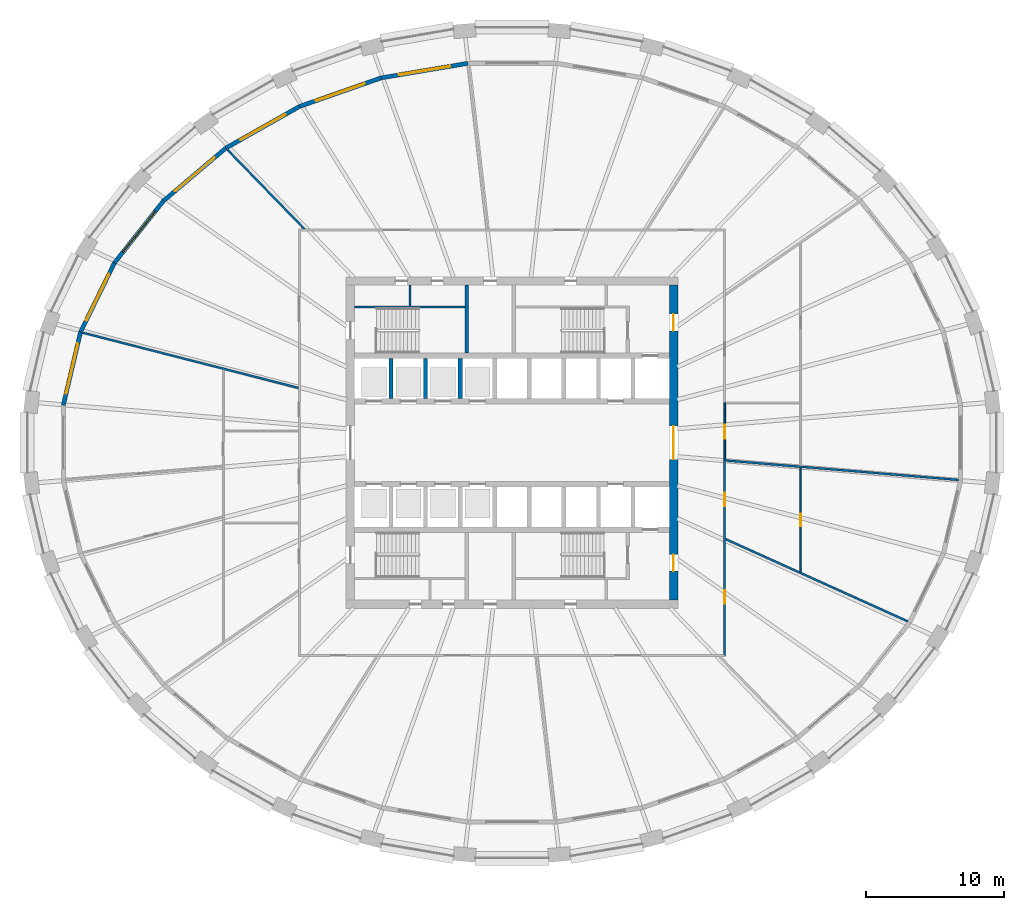
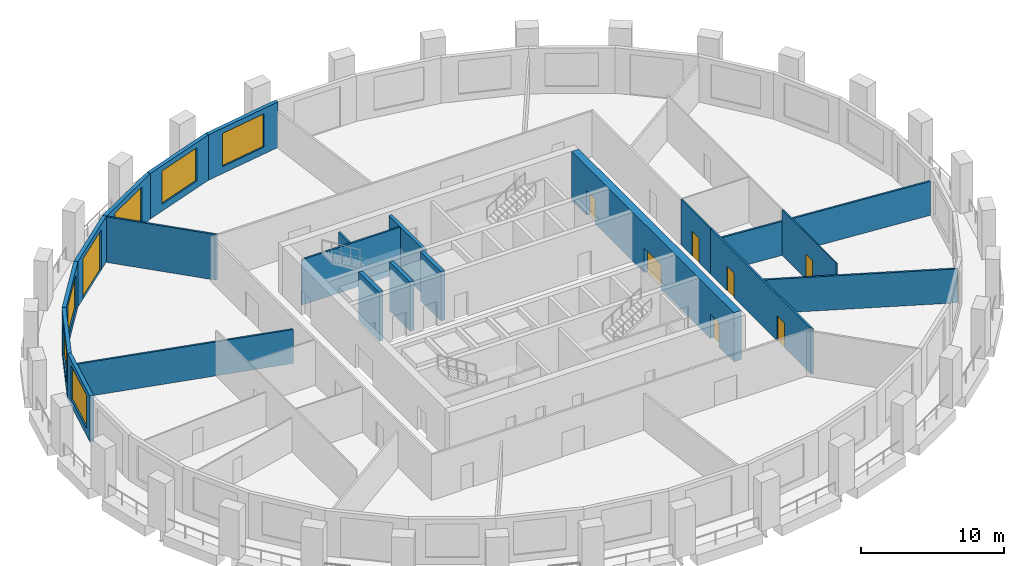
# One storey, part 5 of 10: 21 walls, 8 doors, 6 windows, 14 openings.
"""IFC4 building model written with IfcOpenShell, lengths in metres."""

from ifc_helpers import new_model, si_unit, direction, frame, frame_2d, origin, place, context, subcontext, project, spatial, polyline, rectangle, outline, extrude, material, layer, layer_set, type_object, element, fill, save


model = new_model("IFC4")

# Units and contexts
model_context = context("Model", 3, precision=1e-05, world=origin(), true_north=direction((0.0, 1.0)))
body_context = subcontext(model_context, "Body", "Model", "MODEL_VIEW")
ifc_project = project(units=[si_unit("LENGTHUNIT", "METRE"), si_unit("AREAUNIT", "SQUARE_METRE"), si_unit("VOLUMEUNIT", "CUBIC_METRE"), si_unit("PLANEANGLEUNIT", "RADIAN"), si_unit("MASSUNIT", "GRAM", prefix="KILO")], contexts=[model_context])

# Site, building, storey
site_placement = place(None, origin())
site = spatial("IfcSite", under=ifc_project, at=site_placement, CompositionType="ELEMENT")
building_placement = place(site_placement, origin())
building = spatial("IfcBuilding", under=site, at=building_placement, Name="Halqa Exchange Tower", CompositionType="ELEMENT")
storey_placement = place(building_placement, frame((0.0, 0.0, 112.89990234375)))
storey = spatial("IfcBuildingStorey", under=building, at=storey_placement, Name="L25", CompositionType="ELEMENT", Elevation=112.89990234375)

# Walls
ifc_material_1 = material(Name="Fire-rated gypsum board")
ifc_layer_1 = layer(ifc_material_1, 0.14990234375)
ifc_layer_set_1 = layer_set([ifc_layer_1], Name="Fire-rated gypsum board")
wall_type_1 = type_object("IfcWallType", Name="Fire partition EI 60 150", PredefinedType="PARTITIONING", material=ifc_layer_set_1)
wall_1_placement = place(storey_placement, frame((-31.089599609375, 7.9658203125, 0.0), z_axis=(0.0, 0.0, 1.0), x_axis=(0.968771016809, -0.247957086995, 0.0)))
element("IfcWall", 1, at=wall_1_placement, inside=storey, type_object=wall_type_1, Name="L25-PWL-001", PredefinedType="PARTITIONING", context=body_context, shape_type="SweptSolid", body=[
    extrude(outline(polyline([(16.13671875, -0.074951171875), (16.13671875, -0.0732421875), (16.098876953125, 0.074951171875), (14.3115234375, 0.074951171875), (12.5244140625, 0.074951171875), (10.737060546875, 0.074951171875), (8.949951171875, 0.074951171875), (7.162841796875, 0.074951171875), (5.37548828125, 0.074951171875), (3.58837890625, 0.074951171875), (1.801025390625, 0.074951171875), (0.013916015625, 0.074951171875), (0.0, 0.00830078125), (0.0, -0.0673828125), (0.000244140625, -0.074951171875), (1.793212890625, -0.074951171875), (3.5859375, -0.074951171875), (5.37890625, -0.074951171875), (7.171875, -0.074951171875), (8.96484375, -0.074951171875), (10.7578125, -0.074951171875), (12.55078125, -0.074951171875), (14.34375, -0.074951171875), (16.13671875, -0.074951171875)])), origin(), (0.0, 0.0, 1.0), 2.91015625),
])
wall_2_placement = place(storey_placement, frame((-14.982421875, 15.4228515625, 0.0), z_axis=(0.0, 0.0, 1.0), x_axis=(-0.696915710248, 0.717153046992, 0.0)))
element("IfcWall", 2, at=wall_2_placement, inside=storey, type_object=wall_type_1, Name="L25-PWL-011", PredefinedType="PARTITIONING", context=body_context, shape_type="SweptSolid", body=[
    extrude(outline(polyline([(8.05859375, 0.074951171875), (6.080322265625, 0.074951171875), (4.10205078125, 0.074951171875), (2.123779296875, 0.074951171875), (0.1455078125, 0.074951171875), (0.0, -0.07470703125), (0.0, -0.074951171875), (1.61181640625, -0.074951171875), (3.223388671875, -0.074951171875), (4.835205078125, -0.074951171875), (6.44677734375, -0.074951171875), (8.05859375, -0.074951171875), (8.05859375, 0.074951171875)])), origin(), (0.0, 0.0, 1.0), 3.900146484375),
])

# Wall, openings, doors
wall_3_placement = place(storey_placement, frame((15.39990234375, -15.47509765625, 0.0), z_axis=(0.0, 0.0, 1.0), x_axis=(0.0, 1.0, 0.0)))
wall_3 = element("IfcWall", 3, at=wall_3_placement, inside=storey, type_object=wall_type_1, Name="L25-PWL-017", PredefinedType="PARTITIONING", context=body_context, shape_type="SweptSolid", body=[
    extrude(outline(polyline([(14.195068359375, 0.074951171875), (12.439453125, 0.074951171875), (10.683837890625, 0.074951171875), (8.92822265625, 0.074951171875), (7.172607421875, 0.074951171875), (5.4169921875, 0.074951171875), (3.661376953125, 0.074951171875), (1.90576171875, 0.074951171875), (0.150146484375, 0.074951171875), (0.000244140625, -0.074951171875), (1.774658203125, -0.074951171875), (3.548828125, -0.074951171875), (5.3232421875, -0.074951171875), (7.09765625, -0.074951171875), (8.8720703125, -0.074951171875), (10.646484375, -0.074951171875), (12.420654296875, -0.074951171875), (14.195068359375, -0.074951171875), (14.195068359375, 0.074951171875)])), origin(), (0.0, 0.0, 1.0), 3.900146484375),
])
opening_1_placement = place(wall_3_placement, frame((3.800048828125, 0.0, 0.0)))
opening_1 = element("IfcOpeningElement", 4, at=opening_1_placement, cuts=wall_3, Name="Opening 07-11", PredefinedType="OPENING", context=body_context, shape_type="SweptSolid", body=[
    extrude(rectangle(XDim=1.0, YDim=2.10009765625, at=frame_2d((0.5, 1.050048828125))), frame((0.0, 0.0869140625, 0.0), z_axis=(0.0, -1.0, 0.0), x_axis=(1.0, 0.0, 0.0)), (0.0, 0.0, 1.0), 0.173828125),
])
opening_2_placement = place(wall_3_placement, frame((10.860107421875, 0.0, 0.0)))
opening_2 = element("IfcOpeningElement", 5, at=opening_2_placement, cuts=wall_3, Name="Opening 07-12", PredefinedType="OPENING", context=body_context, shape_type="SweptSolid", body=[
    extrude(rectangle(XDim=1.0, YDim=2.10009765625, at=frame_2d((0.5, 1.050048828125))), frame((0.0, 0.0869140625, 0.0), z_axis=(0.0, -1.0, 0.0), x_axis=(1.0, 0.0, 0.0)), (0.0, 0.0, 1.0), 0.173828125),
])
ifc_material_2 = material(Name="Steel fire door leaf", Category="steel")
door_type_1 = type_object("IfcDoorType", Name="Fire door FD30S 1000 x 2100", OperationType="SINGLE_SWING_LEFT", PredefinedType="DOOR", material=ifc_material_2)
door_1_placement = place(opening_1_placement, frame((1.0, 0.0, 0.0), z_axis=(0.0, 0.0, 1.0), x_axis=(-1.0, 0.0, 0.0)))
door_1 = element("IfcDoor", 6, at=door_1_placement, inside=storey, type_object=door_type_1, Name="L25-IDR-011", OperationType="SINGLE_SWING_RIGHT", OverallHeight=2.10009765625, OverallWidth=1.0, PredefinedType="DOOR", context=body_context, shape_type="SweptSolid", body=[
    extrude(rectangle(XDim=1.0, YDim=2.10009765625, at=frame_2d((0.5, 1.050048828125))), frame((0.0, 0.02490234375, 0.0), z_axis=(0.0, -1.0, 0.0), x_axis=(1.0, 0.0, 0.0)), (0.0, 0.0, 1.0), 0.050048828125),
])
fill(opening_1, door_1)
door_2_placement = place(opening_2_placement, frame((1.0, 0.0, 0.0), z_axis=(0.0, 0.0, 1.0), x_axis=(-1.0, 0.0, 0.0)))
door_2 = element("IfcDoor", 7, at=door_2_placement, inside=storey, type_object=door_type_1, Name="L25-IDR-012", OperationType="SINGLE_SWING_LEFT", OverallHeight=2.10009765625, OverallWidth=1.0, PredefinedType="DOOR", context=body_context, shape_type="SweptSolid", body=[
    extrude(rectangle(XDim=1.0, YDim=2.10009765625, at=frame_2d((0.5, 1.050048828125))), frame((0.0, 0.02490234375, 0.0), z_axis=(0.0, -1.0, 0.0), x_axis=(1.0, 0.0, 0.0)), (0.0, 0.0, 1.0), 0.050048828125),
])
fill(opening_2, door_2)

# Walls
wall_4_placement = place(storey_placement, frame((15.444091796875, -6.969970703125, 0.0), z_axis=(0.0, 0.0, 1.0), x_axis=(0.911385678544, -0.411553331835, 0.0)))
element("IfcWall", 8, at=wall_4_placement, inside=storey, type_object=wall_type_1, Name="L25-PWL-018", PredefinedType="PARTITIONING", context=body_context, shape_type="SweptSolid", body=[
    extrude(outline(polyline([(0.06787109375, -0.074951171875), (1.868896484375, -0.074951171875), (3.670166015625, -0.074951171875), (5.471435546875, -0.074951171875), (7.2724609375, -0.074951171875), (9.07373046875, -0.074951171875), (10.875, -0.074951171875), (12.676025390625, -0.074951171875), (14.477294921875, -0.074951171875), (14.4951171875, -0.003662109375), (14.4970703125, 0.05810546875), (14.4970703125, 0.074951171875), (12.77783203125, 0.074951171875), (11.058349609375, 0.074951171875), (9.339111328125, 0.074951171875), (7.619873046875, 0.074951171875), (5.900390625, 0.074951171875), (5.898193359375, 0.073974609375), (5.897705078125, 0.074951171875), (3.931884765625, 0.074951171875), (1.9658203125, 0.074951171875), (0.0, 0.074951171875), (0.06787109375, -0.074951171875)])), origin(), (0.0, 0.0, 1.0), 2.91015625),
])
wall_5_placement = place(storey_placement, frame((15.453857421875, -1.284423828125, 0.0), z_axis=(0.0, 0.0, 1.0), x_axis=(0.996525641357, -0.083286530234, 0.0)))
element("IfcWall", 9, at=wall_5_placement, inside=storey, type_object=wall_type_1, Name="L25-PWL-019", PredefinedType="PARTITIONING", context=body_context, shape_type="SweptSolid", body=[
    extrude(outline(polyline([(0.027587890625, -0.074951171875), (1.905029296875, -0.074951171875), (3.78271484375, -0.074951171875), (5.66015625, -0.074951171875), (7.537841796875, -0.074951171875), (9.41552734375, -0.074951171875), (11.29296875, -0.074951171875), (13.170654296875, -0.074951171875), (15.04833984375, -0.074951171875), (16.92578125, -0.074951171875), (16.931396484375, -0.03759765625), (16.931396484375, 0.074951171875), (15.050048828125, 0.074951171875), (13.1689453125, 0.074951171875), (11.28759765625, 0.074951171875), (9.40625, 0.074951171875), (7.525146484375, 0.074951171875), (5.643798828125, 0.074951171875), (3.762451171875, 0.074951171875), (1.88134765625, 0.074951171875), (0.0, 0.074951171875), (0.0, 0.07373046875), (0.005859375, 0.0048828125), (0.020751953125, 0.006103515625), (0.027587890625, -0.074951171875)])), origin(), (0.0, 0.0, 1.0), 2.91015625),
])

# Wall, opening, door
ifc_material_3 = material(Name="Fire-rated glazing", Category="glass")
ifc_layer_2 = layer(ifc_material_3, 0.1201171875)
ifc_layer_set_2 = layer_set([ifc_layer_2], Name="Fire-rated glazing")
wall_type_2 = type_object("IfcWallType", Name="Glazed fire partition EI 60 120", PredefinedType="PARTITIONING", material=ifc_layer_set_2)
wall_6_placement = place(storey_placement, frame((15.39990234375, 2.8798828125, 0.0), z_axis=(0.0, 0.0, 1.0), x_axis=(0.0, -1.0, 0.0)))
wall_6 = element("IfcWall", 10, at=wall_6_placement, inside=storey, type_object=wall_type_2, Name="L25-PWL-020", PredefinedType="PARTITIONING", context=body_context, shape_type="SweptSolid", body=[
    extrude(rectangle(XDim=4.159912109375, YDim=0.1201171875, at=frame_2d((2.080078125, 0.0))), origin(), (0.0, 0.0, 1.0), 3.900146484375),
])
opening_3_placement = place(wall_6_placement, frame((1.580078125, 0.0, 0.0)))
opening_3 = element("IfcOpeningElement", 11, at=opening_3_placement, cuts=wall_6, Name="Opening 07-13", PredefinedType="OPENING", context=body_context, shape_type="SweptSolid", body=[
    extrude(rectangle(XDim=1.0, YDim=2.10009765625, at=frame_2d((0.5, 1.050048828125))), frame((0.0, 0.072021484375, 0.0), z_axis=(0.0, -1.0, 0.0), x_axis=(1.0, 0.0, 0.0)), (0.0, 0.0, 1.0), 0.14404296875),
])
door_3_placement = place(opening_3_placement, origin())
door_3 = element("IfcDoor", 12, at=door_3_placement, inside=storey, type_object=door_type_1, Name="L25-IDR-013", OperationType="SINGLE_SWING_RIGHT", OverallHeight=2.10009765625, OverallWidth=1.0, PredefinedType="DOOR", context=body_context, shape_type="SweptSolid", body=[
    extrude(rectangle(XDim=1.0, YDim=2.10009765625, at=frame_2d((0.5, 1.050048828125))), frame((0.0, 0.02490234375, 0.0), z_axis=(0.0, -1.0, 0.0), x_axis=(1.0, 0.0, 0.0)), (0.0, 0.0, 1.0), 0.050048828125),
])
fill(opening_3, door_3)

ifc_material_4 = material(Name="Gypsum board")
ifc_layer_3 = layer(ifc_material_4, 0.10009765625)
ifc_layer_set_3 = layer_set([ifc_layer_3], Name="Gypsum board")
wall_type_3 = type_object("IfcWallType", Name="Partition 100 gypsum", PredefinedType="PARTITIONING", material=ifc_layer_set_3)
wall_7_placement = place(storey_placement, frame((20.89990234375, -1.81103515625, 0.0), z_axis=(0.0, 0.0, 1.0), x_axis=(0.0, -1.0, 0.0)))
wall_7 = element("IfcWall", 13, at=wall_7_placement, inside=storey, type_object=wall_type_3, Name="L25-PWL-024", PredefinedType="PARTITIONING", context=body_context, shape_type="SweptSolid", body=[
    extrude(outline(polyline([(0.0, -0.050048828125), (1.87939453125, -0.050048828125), (3.7587890625, -0.050048828125), (5.63818359375, -0.050048828125), (7.517578125, -0.050048828125), (7.5625, 0.04931640625), (7.5625, 0.050048828125), (5.673828125, 0.050048828125), (3.785400390625, 0.050048828125), (1.896728515625, 0.050048828125), (0.008056640625, 0.050048828125), (0.0, -0.046630859375), (0.0, -0.050048828125)])), origin(), (0.0, 0.0, 1.0), 3.900146484375),
])
opening_4_placement = place(wall_7_placement, frame((3.323974609375, 0.0, 0.0)))
opening_4 = element("IfcOpeningElement", 14, at=opening_4_placement, cuts=wall_7, Name="Opening 07-18", PredefinedType="OPENING", context=body_context, shape_type="SweptSolid", body=[
    extrude(rectangle(XDim=0.89990234375, YDim=2.10009765625, at=frame_2d((0.449951171875, 1.050048828125))), frame((0.0, 0.06201171875, 0.0), z_axis=(0.0, -1.0, 0.0), x_axis=(1.0, 0.0, 0.0)), (0.0, 0.0, 1.0), 0.1240234375),
])
ifc_material_5 = material(Name="Timber door leaf", Category="wood")
door_type_2 = type_object("IfcDoorType", Name="Door 900 x 2100", OperationType="SINGLE_SWING_LEFT", PredefinedType="DOOR", material=ifc_material_5)
door_4_placement = place(opening_4_placement, frame((0.89990234375, 0.0, 0.0), z_axis=(0.0, 0.0, 1.0), x_axis=(-1.0, 0.0, 0.0)))
door_4 = element("IfcDoor", 15, at=door_4_placement, inside=storey, type_object=door_type_2, Name="L25-IDR-018", OperationType="SINGLE_SWING_LEFT", OverallHeight=2.10009765625, OverallWidth=0.89990234375, PredefinedType="DOOR", context=body_context, shape_type="SweptSolid", body=[
    extrude(rectangle(XDim=0.89990234375, YDim=2.10009765625, at=frame_2d((0.449951171875, 1.050048828125))), frame((0.0, 0.02490234375, 0.0), z_axis=(0.0, -1.0, 0.0), x_axis=(1.0, 0.0, 0.0)), (0.0, 0.0, 1.0), 0.050048828125),
])
fill(opening_4, door_4)

# Walls
ifc_layer_4 = layer(ifc_material_4, 0.14990234375)
ifc_layer_set_4 = layer_set([ifc_layer_4], Name="Gypsum board")
wall_type_4 = type_object("IfcWallType", Name="Penthouse riser wall 150 gypsum", PredefinedType="PARTITIONING", material=ifc_layer_set_4)
wall_8_placement = place(storey_placement, frame((-7.39990234375, 9.89990234375, 0.0), z_axis=(0.0, 0.0, 1.0), x_axis=(0.0, 1.0, 0.0)))
element("IfcWall", 16, at=wall_8_placement, inside=storey, type_object=wall_type_4, Name="Partition W7.400 N", PredefinedType="PARTITIONING", context=body_context, shape_type="SweptSolid", body=[
    extrude(rectangle(XDim=1.5, YDim=0.14990234375, at=frame_2d((0.75, 0.0))), origin(), (0.0, 0.0, 1.0), 3.900146484375),
])
ifc_material_6 = material(Name="Concrete C60/75", Category="concrete")
ifc_layer_5 = layer(ifc_material_6, 0.300048828125)
ifc_layer_set_5 = layer_set([ifc_layer_5], Name="Concrete C60/75")
wall_type_5 = type_object("IfcWallType", Name="RC core wall 300", PredefinedType="SHEAR", material=ifc_layer_set_5)
for number, where, z_axis, x_axis, name in (
    (17, (-8.75, 3.199951171875, 0.0), (0.0, 0.0, 1.0), (0.0, 1.0, 0.0), "Shaft divider N1"),
    (18, (-6.25, 3.199951171875, 0.0), (0.0, 0.0, 1.0), (0.0, 1.0, 0.0), "Shaft divider N2"),
    (19, (-3.75, 3.199951171875, 0.0), (0.0, 0.0, 1.0), (0.0, 1.0, 0.0), "Shaft divider N3"),
):
    element("IfcWall", number, at=place(storey_placement, frame(where, z_axis=z_axis, x_axis=x_axis)), inside=storey, type_object=wall_type_5, Name=name, PredefinedType="SHEAR", context=body_context, shape_type="SweptSolid", body=[
        extrude(rectangle(XDim=2.900146484375, YDim=0.300048828125, at=frame_2d((1.4501953125, 0.0))), origin(), (0.0, 0.0, 1.0), 4.2001953125),
    ])

# Wall, openings, doors
ifc_material_7 = material(Name="Concrete C70/85", Category="concrete")
ifc_layer_6 = layer(ifc_material_7, 0.60009765625)
ifc_layer_set_6 = layer_set([ifc_layer_6], Name="Concrete C70/85")
wall_type_6 = type_object("IfcWallType", Name="RC core wall 600 C70/85", PredefinedType="SHEAR", material=ifc_layer_set_6)
wall_9_placement = place(storey_placement, frame((11.699951171875, -11.39990234375, 0.0), z_axis=(0.0, 0.0, 1.0), x_axis=(0.0, 1.0, 0.0)))
wall_9 = element("IfcWall", 20, at=wall_9_placement, inside=storey, type_object=wall_type_6, Name="Core wall east", PredefinedType="SHEAR", context=body_context, shape_type="SweptSolid", body=[
    extrude(rectangle(XDim=22.7998046875, YDim=0.60009765625, at=frame_2d((11.39990234375, 0.0))), origin(), (0.0, 0.0, 1.0), 4.2001953125),
])
opening_5_placement = place(wall_9_placement, frame((10.199951171875, 0.0, 0.0)))
opening_5 = element("IfcOpeningElement", 21, at=opening_5_placement, cuts=wall_9, Name="Opening T07-C14", PredefinedType="OPENING", context=body_context, shape_type="SweptSolid", body=[
    extrude(rectangle(XDim=2.39990234375, YDim=2.10009765625, at=frame_2d((1.199951171875, 1.050048828125))), frame((0.0, 0.31201171875, 0.0), z_axis=(0.0, -1.0, 0.0), x_axis=(1.0, 0.0, 0.0)), (0.0, 0.0, 1.0), 0.6240234375),
])
opening_6_placement = place(wall_9_placement, frame((19.5, 0.0, 0.0)))
opening_6 = element("IfcOpeningElement", 22, at=opening_6_placement, cuts=wall_9, Name="Opening T07-C19", PredefinedType="OPENING", context=body_context, shape_type="SweptSolid", body=[
    extrude(rectangle(XDim=1.199951171875, YDim=2.10009765625, at=frame_2d((0.60009765625, 1.050048828125))), frame((0.0, 0.31201171875, 0.0), z_axis=(0.0, -1.0, 0.0), x_axis=(1.0, 0.0, 0.0)), (0.0, 0.0, 1.0), 0.6240234375),
])
opening_7_placement = place(wall_9_placement, frame((2.10009765625, 0.0, 0.0)))
opening_7 = element("IfcOpeningElement", 23, at=opening_7_placement, cuts=wall_9, Name="Opening T07-C20", PredefinedType="OPENING", context=body_context, shape_type="SweptSolid", body=[
    extrude(rectangle(XDim=1.199951171875, YDim=2.10009765625, at=frame_2d((0.60009765625, 1.050048828125))), frame((0.0, 0.31201171875, 0.0), z_axis=(0.0, -1.0, 0.0), x_axis=(1.0, 0.0, 0.0)), (0.0, 0.0, 1.0), 0.6240234375),
])
door_type_3 = type_object("IfcDoorType", Name="Firefighting lobby door FD90 1200 x 2100", OperationType="SINGLE_SWING_RIGHT", PredefinedType="DOOR", material=ifc_material_2)
door_5_placement = place(opening_6_placement, origin())
door_5 = element("IfcDoor", 24, at=door_5_placement, inside=storey, type_object=door_type_3, Name="Firefighting lobby door", OperationType="SINGLE_SWING_RIGHT", OverallHeight=2.10009765625, OverallWidth=1.199951171875, PredefinedType="DOOR", context=body_context, shape_type="SweptSolid", body=[
    extrude(rectangle(XDim=1.199951171875, YDim=2.10009765625, at=frame_2d((0.60009765625, 1.050048828125))), frame((0.0, 0.02490234375, 0.0), z_axis=(0.0, -1.0, 0.0), x_axis=(1.0, 0.0, 0.0)), (0.0, 0.0, 1.0), 0.050048828125),
])
fill(opening_6, door_5)
door_6_placement = place(opening_7_placement, origin())
door_6 = element("IfcDoor", 25, at=door_6_placement, inside=storey, type_object=door_type_3, Name="Firefighting lobby door", OperationType="SINGLE_SWING_LEFT", OverallHeight=2.10009765625, OverallWidth=1.199951171875, PredefinedType="DOOR", context=body_context, shape_type="SweptSolid", body=[
    extrude(rectangle(XDim=1.199951171875, YDim=2.10009765625, at=frame_2d((0.60009765625, 1.050048828125))), frame((0.0, 0.02490234375, 0.0), z_axis=(0.0, -1.0, 0.0), x_axis=(1.0, 0.0, 0.0)), (0.0, 0.0, 1.0), 0.050048828125),
])
fill(opening_7, door_6)
door_type_4 = type_object("IfcDoorType", Name="Lobby double door FD60 2400 x 2100", OperationType="DOUBLE_DOOR_SINGLE_SWING", PredefinedType="DOOR", material=ifc_material_2)
door_7_placement = place(opening_5_placement, origin())
door_7 = element("IfcDoor", 26, at=door_7_placement, inside=storey, type_object=door_type_4, Name="Lift lobby double door", OperationType="DOUBLE_DOOR_SINGLE_SWING", OverallHeight=2.10009765625, OverallWidth=2.39990234375, PredefinedType="DOOR", context=body_context, shape_type="SweptSolid", body=[
    extrude(rectangle(XDim=2.39990234375, YDim=2.10009765625, at=frame_2d((1.199951171875, 1.050048828125))), frame((0.0, 0.02490234375, 0.0), z_axis=(0.0, -1.0, 0.0), x_axis=(1.0, 0.0, 0.0)), (0.0, 0.0, 1.0), 0.050048828125),
])
fill(opening_5, door_7)

# Walls
ifc_material_8 = material(Name="Concrete C30/37", Category="concrete")
ifc_layer_7 = layer(ifc_material_8, 0.14990234375)
ifc_layer_set_7 = layer_set([ifc_layer_7], Name="Concrete C30/37")
wall_type_7 = type_object("IfcWallType", Name="RC stair wall 150 C30/37", PredefinedType="SHEAR", material=ifc_layer_set_7)
wall_10_placement = place(storey_placement, frame((-11.39990234375, 9.824951171875, 0.0), z_axis=(0.0, 0.0, 1.0), x_axis=(1.0, 0.0, 0.0)))
element("IfcWall", 27, at=wall_10_placement, inside=storey, type_object=wall_type_7, Name="Stair ST1 north wall N", PredefinedType="SHEAR", context=body_context, shape_type="SweptSolid", body=[
    extrude(rectangle(XDim=8.0, YDim=0.14990234375, at=frame_2d((4.0, 0.0))), origin(), (0.0, 0.0, 1.0), 3.900146484375),
])
ifc_layer_8 = layer(ifc_material_8, 0.25)
ifc_layer_set_8 = layer_set([ifc_layer_8], Name="Concrete C30/37")
wall_type_8 = type_object("IfcWallType", Name="RC stair wall 250 C30/37", PredefinedType="SHEAR", material=ifc_layer_set_8)
wall_11_placement = place(storey_placement, frame((-3.27490234375, 6.5, 0.0), z_axis=(0.0, 0.0, 1.0), x_axis=(0.0, 1.0, 0.0)))
element("IfcWall", 28, at=wall_11_placement, inside=storey, type_object=wall_type_8, Name="Stair ST1 east wall N", PredefinedType="SHEAR", context=body_context, shape_type="SweptSolid", body=[
    extrude(rectangle(XDim=4.89990234375, YDim=0.25, at=frame_2d((2.449951171875, 0.0))), origin(), (0.0, 0.0, 1.0), 3.900146484375),
])

# Wall, opening, window
ifc_material_9 = material(Name="Limestone cladding", Category="masonry")
ifc_layer_9 = layer(ifc_material_9, 0.0400390625)
ifc_material_10 = material(Name="Ventilated cavity")
ifc_layer_10 = layer(ifc_material_10, 0.030029296875, ventilated=True)
ifc_material_11 = material(Name="Mineral wool insulation")
ifc_layer_11 = layer(ifc_material_11, 0.10009765625)
ifc_layer_12 = layer(ifc_material_8, 0.10009765625)
ifc_material_12 = material(Name="Internal plaster")
ifc_layer_13 = layer(ifc_material_12, 0.030029296875)
ifc_layer_set_9 = layer_set([ifc_layer_9, ifc_layer_10, ifc_layer_11, ifc_layer_12, ifc_layer_13], Name="Stone-faced insulated wall 300")
wall_type_9 = type_object("IfcWallType", Name="Stone-faced insulated wall 300", PredefinedType="STANDARD", material=ifc_layer_set_9)
wall_12_placement = place(storey_placement, frame((-3.197021484375, 27.4658203125, 0.0), z_axis=(0.0, 0.0, 1.0), x_axis=(-0.986178310488, -0.165687476666, 0.0)))
wall_12 = element("IfcWall", 29, at=wall_12_placement, inside=storey, type_object=wall_type_9, Name="Glass-line wall 9", PredefinedType="STANDARD", context=body_context, shape_type="SweptSolid", body=[
    extrude(outline(polyline([(-0.012451171875, -0.14990234375), (6.372314453125, -0.14990234375), (6.346923828125, 0.14990234375), (0.012451171875, 0.14990234375), (-0.012451171875, -0.14990234375)])), origin(), (0.0, 0.0, 1.0), 3.900146484375),
])
opening_8_placement = place(wall_12_placement, frame((1.3046875, 0.0, 0.60009765625)))
opening_8 = element("IfcOpeningElement", 30, at=opening_8_placement, cuts=wall_12, Name="Opening W-F2-09", PredefinedType="OPENING", context=body_context, shape_type="SweptSolid", body=[
    extrude(rectangle(XDim=3.75, YDim=2.85009765625, at=frame_2d((1.875, 1.425048828125))), frame((0.0, 0.162109375, 0.0), z_axis=(0.0, -1.0, 0.0), x_axis=(1.0, 0.0, 0.0)), (0.0, 0.0, 1.0), 0.323974609375),
])
ifc_material_13 = material(Name="Clear low-emissivity glass in aluminium frame", Category="aluminium")
window_type = type_object("IfcWindowType", Name="Fixed clear glazed window 3750 x 2850", PartitioningType="TRIPLE_PANEL_VERTICAL", PredefinedType="WINDOW", material=ifc_material_13)
window_1_placement = place(opening_8_placement, origin())
window_1 = element("IfcWindow", 31, at=window_1_placement, inside=storey, type_object=window_type, Name="Window 2", OverallHeight=2.85009765625, OverallWidth=3.75, PartitioningType="TRIPLE_PANEL_VERTICAL", PredefinedType="WINDOW", context=body_context, shape_type="SweptSolid", body=[
    extrude(rectangle(XDim=3.75, YDim=2.85009765625, at=frame_2d((1.875, 1.425048828125))), frame((0.0, 0.030029296875, 0.0), z_axis=(0.0, -1.0, 0.0), x_axis=(1.0, 0.0, 0.0)), (0.0, 0.0, 1.0), 0.06005859375),
])
fill(opening_8, window_1)

wall_13_placement = place(storey_placement, frame((-9.46875, 26.412109375, 0.0), z_axis=(0.0, 0.0, 1.0), x_axis=(-0.943866868202, -0.330326104193, 0.0)))
wall_13 = element("IfcWall", 32, at=wall_13_placement, inside=storey, type_object=wall_type_9, Name="Glass-line wall 10", PredefinedType="STANDARD", context=body_context, shape_type="SweptSolid", body=[
    extrude(outline(polyline([(-0.0126953125, -0.14990234375), (6.2734375, -0.14990234375), (6.24658203125, 0.14990234375), (0.0126953125, 0.14990234375), (-0.0126953125, -0.14990234375)])), origin(), (0.0, 0.0, 1.0), 3.900146484375),
])
opening_9_placement = place(wall_13_placement, frame((1.255126953125, 0.0, 0.60009765625)))
opening_9 = element("IfcOpeningElement", 33, at=opening_9_placement, cuts=wall_13, Name="Opening W-F2-10", PredefinedType="OPENING", context=body_context, shape_type="SweptSolid", body=[
    extrude(rectangle(XDim=3.75, YDim=2.85009765625, at=frame_2d((1.875, 1.425048828125))), frame((0.0, 0.162109375, 0.0), z_axis=(0.0, -1.0, 0.0), x_axis=(1.0, 0.0, 0.0)), (0.0, 0.0, 1.0), 0.323974609375),
])
window_2_placement = place(opening_9_placement, origin())
window_2 = element("IfcWindow", 34, at=window_2_placement, inside=storey, type_object=window_type, Name="Window 2", OverallHeight=2.85009765625, OverallWidth=3.75, PartitioningType="TRIPLE_PANEL_VERTICAL", PredefinedType="WINDOW", context=body_context, shape_type="SweptSolid", body=[
    extrude(rectangle(XDim=3.75, YDim=2.85009765625, at=frame_2d((1.875, 1.425048828125))), frame((0.0, 0.030029296875, 0.0), z_axis=(0.0, -1.0, 0.0), x_axis=(1.0, 0.0, 0.0)), (0.0, 0.0, 1.0), 0.06005859375),
])
fill(opening_9, window_2)

wall_14_placement = place(storey_placement, frame((-15.37744140625, 24.34423828125, 0.0), z_axis=(0.0, 0.0, 1.0), x_axis=(-0.870828448417, -0.491587035455, 0.0)))
wall_14 = element("IfcWall", 35, at=wall_14_placement, inside=storey, type_object=wall_type_9, Name="Glass-line wall 11", PredefinedType="STANDARD", context=body_context, shape_type="SweptSolid", body=[
    extrude(outline(polyline([(-0.013427734375, -0.14990234375), (6.122802734375, -0.14990234375), (6.094482421875, 0.14990234375), (0.013427734375, 0.14990234375), (-0.013427734375, -0.14990234375)])), origin(), (0.0, 0.0, 1.0), 3.900146484375),
])
opening_10_placement = place(wall_14_placement, frame((1.17919921875, 0.0, 0.60009765625)))
opening_10 = element("IfcOpeningElement", 36, at=opening_10_placement, cuts=wall_14, Name="Opening W-F2-11", PredefinedType="OPENING", context=body_context, shape_type="SweptSolid", body=[
    extrude(rectangle(XDim=3.75, YDim=2.85009765625, at=frame_2d((1.875, 1.425048828125))), frame((0.0, 0.162109375, 0.0), z_axis=(0.0, -1.0, 0.0), x_axis=(1.0, 0.0, 0.0)), (0.0, 0.0, 1.0), 0.323974609375),
])
window_3_placement = place(opening_10_placement, origin())
window_3 = element("IfcWindow", 37, at=window_3_placement, inside=storey, type_object=window_type, Name="Window 2", OverallHeight=2.85009765625, OverallWidth=3.75, PartitioningType="TRIPLE_PANEL_VERTICAL", PredefinedType="WINDOW", context=body_context, shape_type="SweptSolid", body=[
    extrude(rectangle(XDim=3.75, YDim=2.85009765625, at=frame_2d((1.875, 1.425048828125))), frame((0.0, 0.030029296875, 0.0), z_axis=(0.0, -1.0, 0.0), x_axis=(1.0, 0.0, 0.0)), (0.0, 0.0, 1.0), 0.06005859375),
])
fill(opening_10, window_3)

# Wall, opening, door
wall_15_placement = place(storey_placement, frame((-20.697021484375, 21.34130859375, 0.0), z_axis=(0.0, 0.0, 1.0), x_axis=(-0.763894031266, -0.645341699409, 0.0)))
wall_15 = element("IfcWall", 38, at=wall_15_placement, inside=storey, type_object=wall_type_9, Name="Glass-line wall 12", PredefinedType="STANDARD", context=body_context, shape_type="SweptSolid", body=[
    extrude(outline(polyline([(-0.01416015625, -0.14990234375), (5.93994140625, -0.14990234375), (5.90966796875, 0.14990234375), (0.01416015625, 0.14990234375), (-0.01416015625, -0.14990234375)])), origin(), (0.0, 0.0, 1.0), 3.900146484375),
])
opening_11_placement = place(wall_15_placement, frame((1.08740234375, 0.0, 0.0)))
opening_11 = element("IfcOpeningElement", 39, at=opening_11_placement, cuts=wall_15, Name="Opening LG-F2-03", PredefinedType="OPENING", context=body_context, shape_type="SweptSolid", body=[
    extrude(rectangle(XDim=3.75, YDim=3.449951171875, at=frame_2d((1.875, 1.72509765625))), frame((0.0, 0.162109375, 0.0), z_axis=(0.0, -1.0, 0.0), x_axis=(1.0, 0.0, 0.0)), (0.0, 0.0, 1.0), 0.323974609375),
])
door_type_5 = type_object("IfcDoorType", Name="Glazed sliding loggia door 3750 x 3450", OperationType="DOUBLE_DOOR_SLIDING", PredefinedType="DOOR", material=ifc_material_13)
door_8_placement = place(opening_11_placement, origin())
door_8 = element("IfcDoor", 40, at=door_8_placement, inside=storey, type_object=door_type_5, Name="Loggia door 3", OperationType="DOUBLE_DOOR_SLIDING", OverallHeight=3.449951171875, OverallWidth=3.75, PredefinedType="DOOR", context=body_context, shape_type="SweptSolid", body=[
    extrude(rectangle(XDim=3.75, YDim=3.449951171875, at=frame_2d((1.875, 1.72509765625))), frame((0.0, 0.02490234375, 0.0), z_axis=(0.0, -1.0, 0.0), x_axis=(1.0, 0.0, 0.0)), (0.0, 0.0, 1.0), 0.050048828125),
])
fill(opening_11, door_8)

# Wall, opening, window
wall_16_placement = place(storey_placement, frame((-25.222900390625, 17.517822265625, 0.0), z_axis=(0.0, 0.0, 1.0), x_axis=(-0.620329992039, -0.784340934146, 0.0)))
wall_16 = element("IfcWall", 41, at=wall_16_placement, inside=storey, type_object=wall_type_9, Name="Glass-line wall 13", PredefinedType="STANDARD", context=body_context, shape_type="SweptSolid", body=[
    extrude(outline(polyline([(-0.01513671875, -0.14990234375), (5.75146484375, -0.14990234375), (5.71923828125, 0.14990234375), (0.01513671875, 0.14990234375), (-0.01513671875, -0.14990234375)])), origin(), (0.0, 0.0, 1.0), 3.900146484375),
])
opening_12_placement = place(wall_16_placement, frame((0.99267578125, 0.0, 0.60009765625)))
opening_12 = element("IfcOpeningElement", 42, at=opening_12_placement, cuts=wall_16, Name="Opening W-F2-13", PredefinedType="OPENING", context=body_context, shape_type="SweptSolid", body=[
    extrude(rectangle(XDim=3.75, YDim=2.85009765625, at=frame_2d((1.875, 1.425048828125))), frame((0.0, 0.162109375, 0.0), z_axis=(0.0, -1.0, 0.0), x_axis=(1.0, 0.0, 0.0)), (0.0, 0.0, 1.0), 0.323974609375),
])
window_4_placement = place(opening_12_placement, origin())
window_4 = element("IfcWindow", 43, at=window_4_placement, inside=storey, type_object=window_type, Name="Window 2", OverallHeight=2.85009765625, OverallWidth=3.75, PartitioningType="TRIPLE_PANEL_VERTICAL", PredefinedType="WINDOW", context=body_context, shape_type="SweptSolid", body=[
    extrude(rectangle(XDim=3.75, YDim=2.85009765625, at=frame_2d((1.875, 1.425048828125))), frame((0.0, 0.030029296875, 0.0), z_axis=(0.0, -1.0, 0.0), x_axis=(1.0, 0.0, 0.0)), (0.0, 0.0, 1.0), 0.06005859375),
])
fill(opening_12, window_4)

wall_17_placement = place(storey_placement, frame((-28.78076171875, 13.019287109375, 0.0), z_axis=(0.0, 0.0, 1.0), x_axis=(-0.440238988749, -0.897880633929, 0.0)))
wall_17 = element("IfcWall", 44, at=wall_17_placement, inside=storey, type_object=wall_type_9, Name="Glass-line wall 14", PredefinedType="STANDARD", context=body_context, shape_type="SweptSolid", body=[
    extrude(outline(polyline([(-0.01611328125, -0.14990234375), (5.58642578125, -0.14990234375), (5.552734375, 0.14990234375), (0.01611328125, 0.14990234375), (-0.01611328125, -0.14990234375)])), origin(), (0.0, 0.0, 1.0), 3.900146484375),
])
opening_13_placement = place(wall_17_placement, frame((0.90966796875, 0.0, 0.60009765625)))
opening_13 = element("IfcOpeningElement", 45, at=opening_13_placement, cuts=wall_17, Name="Opening W-F2-14", PredefinedType="OPENING", context=body_context, shape_type="SweptSolid", body=[
    extrude(rectangle(XDim=3.75, YDim=2.85009765625, at=frame_2d((1.875, 1.425048828125))), frame((0.0, 0.162109375, 0.0), z_axis=(0.0, -1.0, 0.0), x_axis=(1.0, 0.0, 0.0)), (0.0, 0.0, 1.0), 0.323974609375),
])
window_5_placement = place(opening_13_placement, origin())
window_5 = element("IfcWindow", 46, at=window_5_placement, inside=storey, type_object=window_type, Name="Window 2", OverallHeight=2.85009765625, OverallWidth=3.75, PartitioningType="TRIPLE_PANEL_VERTICAL", PredefinedType="WINDOW", context=body_context, shape_type="SweptSolid", body=[
    extrude(rectangle(XDim=3.75, YDim=2.85009765625, at=frame_2d((1.875, 1.425048828125))), frame((0.0, 0.030029296875, 0.0), z_axis=(0.0, -1.0, 0.0), x_axis=(1.0, 0.0, 0.0)), (0.0, 0.0, 1.0), 0.06005859375),
])
fill(opening_13, window_5)

wall_18_placement = place(storey_placement, frame((-31.232666015625, 8.0185546875, 0.0), z_axis=(0.0, 0.0, 1.0), x_axis=(-0.229193964616, -0.973380771632, 0.0)))
wall_18 = element("IfcWall", 47, at=wall_18_placement, inside=storey, type_object=wall_type_9, Name="Glass-line wall 15", PredefinedType="STANDARD", context=body_context, shape_type="SweptSolid", body=[
    extrude(outline(polyline([(-0.016845703125, -0.14990234375), (5.473388671875, -0.14990234375), (5.438720703125, 0.14990234375), (0.016845703125, 0.14990234375), (-0.016845703125, -0.14990234375)])), origin(), (0.0, 0.0, 1.0), 3.900146484375),
])
opening_14_placement = place(wall_18_placement, frame((0.85302734375, 0.0, 0.60009765625)))
opening_14 = element("IfcOpeningElement", 48, at=opening_14_placement, cuts=wall_18, Name="Opening W-F2-15", PredefinedType="OPENING", context=body_context, shape_type="SweptSolid", body=[
    extrude(rectangle(XDim=3.75, YDim=2.85009765625, at=frame_2d((1.875, 1.425048828125))), frame((0.0, 0.162109375, 0.0), z_axis=(0.0, -1.0, 0.0), x_axis=(1.0, 0.0, 0.0)), (0.0, 0.0, 1.0), 0.323974609375),
])
window_6_placement = place(opening_14_placement, origin())
window_6 = element("IfcWindow", 49, at=window_6_placement, inside=storey, type_object=window_type, Name="Window 2", OverallHeight=2.85009765625, OverallWidth=3.75, PartitioningType="TRIPLE_PANEL_VERTICAL", PredefinedType="WINDOW", context=body_context, shape_type="SweptSolid", body=[
    extrude(rectangle(XDim=3.75, YDim=2.85009765625, at=frame_2d((1.875, 1.425048828125))), frame((0.0, 0.030029296875, 0.0), z_axis=(0.0, -1.0, 0.0), x_axis=(1.0, 0.0, 0.0)), (0.0, 0.0, 1.0), 0.06005859375),
])
fill(opening_14, window_6)

save(model, "model.ifc")
